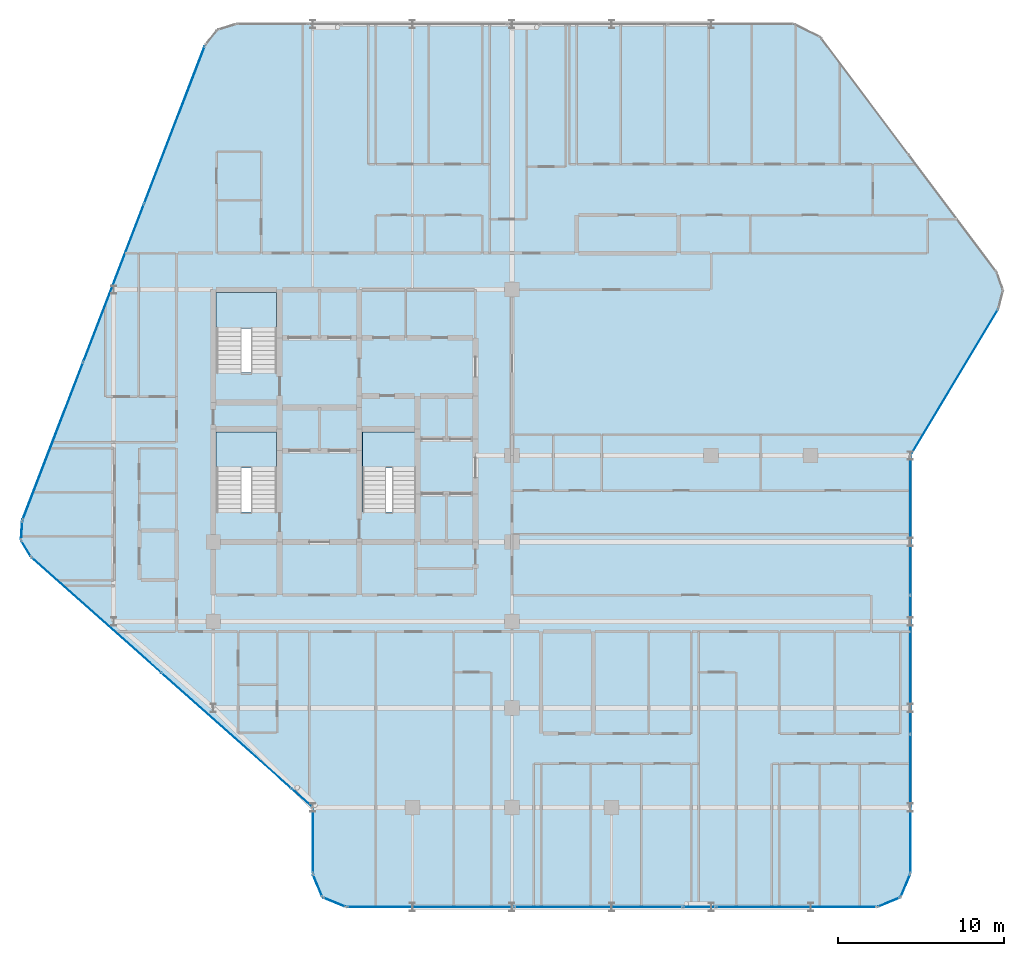
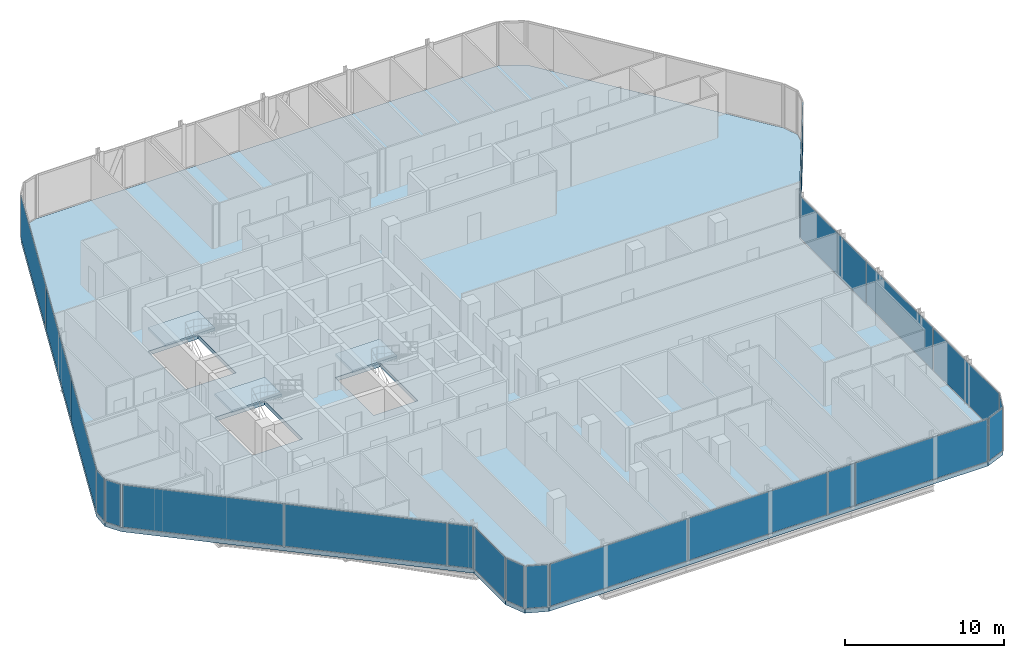
# One storey, part 23 of 32: 21 plates, 4 slabs, 18 elements without a shape of their own.
"""IFC4 building model written with IfcOpenShell, lengths in metres."""

from ifc_helpers import new_model, si_unit, direction, frame, origin, origin_2d, place, context, subcontext, project, spatial, polyline, rectangle, outline, extrude, material, layer, layer_set, type_object, element, aggregate, save


model = new_model("IFC4")

# Units and contexts
model_context = context("Model", 3, precision=1e-05, world=origin(), true_north=direction((0.0, 1.0)))
body_context = subcontext(model_context, "Body", "Model", "MODEL_VIEW")
ifc_project = project(units=[si_unit("LENGTHUNIT", "METRE"), si_unit("AREAUNIT", "SQUARE_METRE"), si_unit("VOLUMEUNIT", "CUBIC_METRE"), si_unit("PLANEANGLEUNIT", "RADIAN"), si_unit("MASSUNIT", "GRAM", prefix="KILO")], contexts=[model_context])

# Site, building, storey
site_placement = place(None, origin())
site = spatial("IfcSite", under=ifc_project, at=site_placement, CompositionType="ELEMENT")
building_placement = place(site_placement, origin())
building = spatial("IfcBuilding", under=site, at=building_placement, Name="Keshet Zoharim Tower", CompositionType="ELEMENT")
storey_placement = place(building_placement, frame((0.0, 0.0, 137.199951171875)))
storey = spatial("IfcBuildingStorey", under=building, at=storey_placement, Name="L33", CompositionType="ELEMENT", Elevation=137.199951171875)

# Curtain wall, plate
ifc_material_1 = material(Name="Aluminium 6063-T6", Category="aluminium")
ifc_layer_1 = layer(ifc_material_1, 0.159912109375)
ifc_layer_set_1 = layer_set([ifc_layer_1], Name="Aluminium 6063-T6")
curtain_wall_type = type_object("IfcCurtainWallType", Name="CW-SYS-03", PredefinedType="NOTDEFINED", material=ifc_layer_set_1)
curtain_wall_1_placement = place(storey_placement, origin())
curtain_wall_1 = element("IfcCurtainWall", 1, at=curtain_wall_1_placement, inside=storey, type_object=curtain_wall_type, Name="L33 Unitised Curtain Wall 01", PredefinedType="NOTDEFINED")
ifc_material_2 = material(Name="Insulated Low-E Clear Glass", Category="glass")
ifc_layer_2 = layer(ifc_material_2, 0.035888671875)
ifc_layer_set_2 = layer_set([ifc_layer_2], Name="Insulated Low-E Clear Glass")
plate_type_1 = type_object("IfcPlateType", Name="CWP-01", PredefinedType="CURTAIN_PANEL", material=ifc_layer_set_2)
plate_1_placement = place(storey_placement, frame((56.70703125, 1.992919921875, 0.070068359375), z_axis=(0.0, 0.0, 1.0), x_axis=(-0.382851849847, -0.92380975372, 0.0)))
plate_1 = element("IfcPlate", 2, at=plate_1_placement, type_object=plate_type_1, Name="CW-03 panel 1.1", PredefinedType="CURTAIN_PANEL", context=body_context, shape_type="SweptSolid", body=[
    extrude(rectangle(XDim=1.390625, YDim=0.035888671875, at=origin_2d()), origin(), (0.0, 0.0, 1.0), 3.2451171875),
])
aggregate(curtain_wall_1, [plate_1])

curtain_wall_2_placement = place(storey_placement, origin())
curtain_wall_2 = element("IfcCurtainWall", 3, at=curtain_wall_2_placement, inside=storey, type_object=curtain_wall_type, Name="L33 Unitised Curtain Wall 02", PredefinedType="NOTDEFINED")
plate_2_placement = place(storey_placement, frame((55.70703125, 0.992919921875, 0.070068359375), z_axis=(0.0, 0.0, 1.0), x_axis=(-0.92380975372, -0.382851849847, 0.0)))
plate_2 = element("IfcPlate", 4, at=plate_2_placement, type_object=plate_type_1, Name="CW-03 panel 1.1", PredefinedType="CURTAIN_PANEL", context=body_context, shape_type="SweptSolid", body=[
    extrude(rectangle(XDim=1.390625, YDim=0.035888671875, at=origin_2d()), origin(), (0.0, 0.0, 1.0), 3.2451171875),
])
aggregate(curtain_wall_2, [plate_2])

curtain_wall_3_placement = place(storey_placement, origin())
curtain_wall_3 = element("IfcCurtainWall", 5, at=curtain_wall_3_placement, inside=storey, type_object=curtain_wall_type, Name="L33 Unitised Curtain Wall 03", PredefinedType="NOTDEFINED")
plate_3_placement = place(storey_placement, frame((50.1240234375, 0.699951171875, 0.070068359375), z_axis=(0.0, 0.0, 1.0), x_axis=(-1.0, 0.0, 0.0)))
plate_3 = element("IfcPlate", 6, at=plate_3_placement, type_object=plate_type_1, Name="CW-03 panel 1.1", PredefinedType="CURTAIN_PANEL", context=body_context, shape_type="SweptSolid", body=[
    extrude(rectangle(XDim=9.61181640625, YDim=0.035888671875, at=origin_2d()), origin(), (0.0, 0.0, 1.0), 3.2451171875),
])
aggregate(curtain_wall_3, [plate_3])

# Curtain wall, plates
curtain_wall_4_placement = place(storey_placement, origin())
curtain_wall_4 = element("IfcCurtainWall", 7, at=curtain_wall_4_placement, inside=storey, type_object=curtain_wall_type, Name="L33 Unitised Curtain Wall 03 Part 3", PredefinedType="NOTDEFINED")
plate_4_placement = place(storey_placement, frame((38.20654296875, 0.699951171875, 0.070068359375), z_axis=(0.0, 0.0, 1.0), x_axis=(-1.0, 0.0, 0.0)))
plate_4 = element("IfcPlate", 8, at=plate_4_placement, type_object=plate_type_1, Name="CW-03 panel 1.1", PredefinedType="CURTAIN_PANEL", context=body_context, shape_type="SweptSolid", body=[
    extrude(rectangle(XDim=10.091064453125, YDim=0.035888671875, at=origin_2d()), origin(), (0.0, 0.0, 1.0), 3.2451171875),
])
plate_5_placement = place(storey_placement, frame((28.08056640625, 0.699951171875, 0.070068359375), z_axis=(0.0, 0.0, 1.0), x_axis=(-1.0, 0.0, 0.0)))
plate_5 = element("IfcPlate", 9, at=plate_5_placement, type_object=plate_type_1, Name="CW-03 panel 2.1", PredefinedType="CURTAIN_PANEL", context=body_context, shape_type="SweptSolid", body=[
    extrude(rectangle(XDim=10.02099609375, YDim=0.035888671875, at=origin_2d()), origin(), (0.0, 0.0, 1.0), 3.2451171875),
])
aggregate(curtain_wall_4, [plate_4, plate_5])

# Curtain wall, plate
curtain_wall_5_placement = place(storey_placement, origin())
curtain_wall_5 = element("IfcCurtainWall", 10, at=curtain_wall_5_placement, inside=storey, type_object=curtain_wall_type, Name="L33 Unitised Curtain Wall 04", PredefinedType="NOTDEFINED")
plate_6_placement = place(storey_placement, frame((22.29296875, 0.992919921875, 0.070068359375), z_axis=(0.0, 0.0, 1.0), x_axis=(-0.92380975372, 0.382851849847, 0.0)))
plate_6 = element("IfcPlate", 11, at=plate_6_placement, type_object=plate_type_1, Name="CW-03 panel 1.1", PredefinedType="CURTAIN_PANEL", context=body_context, shape_type="SweptSolid", body=[
    extrude(rectangle(XDim=1.390625, YDim=0.035888671875, at=origin_2d()), origin(), (0.0, 0.0, 1.0), 3.2451171875),
])
aggregate(curtain_wall_5, [plate_6])

curtain_wall_6_placement = place(storey_placement, origin())
curtain_wall_6 = element("IfcCurtainWall", 12, at=curtain_wall_6_placement, inside=storey, type_object=curtain_wall_type, Name="L33 Unitised Curtain Wall 05", PredefinedType="NOTDEFINED")
plate_7_placement = place(storey_placement, frame((21.29296875, 1.992919921875, 0.070068359375), z_axis=(0.0, 0.0, 1.0), x_axis=(-0.382851849847, 0.92380975372, 0.0)))
plate_7 = element("IfcPlate", 13, at=plate_7_placement, type_object=plate_type_1, Name="CW-03 panel 1.1", PredefinedType="CURTAIN_PANEL", context=body_context, shape_type="SweptSolid", body=[
    extrude(rectangle(XDim=1.390625, YDim=0.035888671875, at=origin_2d()), origin(), (0.0, 0.0, 1.0), 3.2451171875),
])
aggregate(curtain_wall_6, [plate_7])

curtain_wall_7_placement = place(storey_placement, origin())
curtain_wall_7 = element("IfcCurtainWall", 14, at=curtain_wall_7_placement, inside=storey, type_object=curtain_wall_type, Name="L33 Unitised Curtain Wall 06", PredefinedType="NOTDEFINED")
plate_8_placement = place(storey_placement, frame((21.0, 4.699951171875, 0.070068359375), z_axis=(0.0, 0.0, 1.0), x_axis=(0.0, 1.0, 0.0)))
plate_8 = element("IfcPlate", 15, at=plate_8_placement, type_object=plate_type_1, Name="CW-03 panel 1.1", PredefinedType="CURTAIN_PANEL", context=body_context, shape_type="SweptSolid", body=[
    extrude(rectangle(XDim=3.860107421875, YDim=0.035888671875, at=origin_2d()), origin(), (0.0, 0.0, 1.0), 3.2451171875),
])
aggregate(curtain_wall_7, [plate_8])

# Curtain wall, plates
curtain_wall_8_placement = place(storey_placement, origin())
curtain_wall_8 = element("IfcCurtainWall", 16, at=curtain_wall_8_placement, inside=storey, type_object=curtain_wall_type, Name="L33 Unitised Curtain Wall 07 Part 2", PredefinedType="NOTDEFINED")
plate_9_placement = place(storey_placement, frame((15.79296875, 11.328369140625, 0.070068359375), z_axis=(0.0, 0.0, 1.0), x_axis=(-0.747409582009, 0.664363542589, 0.0)))
plate_9 = element("IfcPlate", 17, at=plate_9_placement, type_object=plate_type_1, Name="CW-03 panel 1.1", PredefinedType="CURTAIN_PANEL", context=body_context, shape_type="SweptSolid", body=[
    extrude(rectangle(XDim=10.441162109375, YDim=0.035888671875, at=origin_2d()), origin(), (0.0, 0.0, 1.0), 3.2451171875),
])
plate_10_placement = place(storey_placement, frame((7.963134765625, 18.288330078125, 0.070068359375), z_axis=(0.0, 0.0, 1.0), x_axis=(-0.747409582009, 0.664363542589, 0.0)))
plate_10 = element("IfcPlate", 18, at=plate_10_placement, type_object=plate_type_1, Name="CW-03 panel 2.1", PredefinedType="CURTAIN_PANEL", context=body_context, shape_type="SweptSolid", body=[
    extrude(rectangle(XDim=10.37109375, YDim=0.035888671875, at=origin_2d()), origin(), (0.0, 0.0, 1.0), 3.2451171875),
])
aggregate(curtain_wall_8, [plate_9, plate_10])

# Curtain wall, plate
curtain_wall_9_placement = place(storey_placement, origin())
curtain_wall_9 = element("IfcCurtainWall", 19, at=curtain_wall_9_placement, inside=storey, type_object=curtain_wall_type, Name="L33 Unitised Curtain Wall 08", PredefinedType="NOTDEFINED")
plate_11_placement = place(storey_placement, frame((3.7275390625, 22.291015625, 0.070068359375), z_axis=(0.0, 0.0, 1.0), x_axis=(-0.515604947933, 0.856826433805, 0.0)))
plate_11 = element("IfcPlate", 20, at=plate_11_placement, type_object=plate_type_1, Name="CW-03 panel 1.1", PredefinedType="CURTAIN_PANEL", context=body_context, shape_type="SweptSolid", body=[
    extrude(rectangle(XDim=1.052734375, YDim=0.035888671875, at=origin_2d()), origin(), (0.0, 0.0, 1.0), 3.2451171875),
])
aggregate(curtain_wall_9, [plate_11])

curtain_wall_10_placement = place(storey_placement, origin())
curtain_wall_10 = element("IfcCurtainWall", 21, at=curtain_wall_10_placement, inside=storey, type_object=curtain_wall_type, Name="L33 Unitised Curtain Wall 09", PredefinedType="NOTDEFINED")
plate_12_placement = place(storey_placement, frame((3.45849609375, 23.3974609375, 0.070068359375), z_axis=(0.0, 0.0, 1.0), x_axis=(0.064516859374, 0.997916617186, 0.0)))
plate_12 = element("IfcPlate", 22, at=plate_12_placement, type_object=plate_type_1, Name="CW-03 panel 1.1", PredefinedType="CURTAIN_PANEL", context=body_context, shape_type="SweptSolid", body=[
    extrude(rectangle(XDim=1.053466796875, YDim=0.035888671875, at=origin_2d()), origin(), (0.0, 0.0, 1.0), 3.2451171875),
])
aggregate(curtain_wall_10, [plate_12])

# Curtain wall, plates
curtain_wall_11_placement = place(storey_placement, origin())
curtain_wall_11 = element("IfcCurtainWall", 23, at=curtain_wall_11_placement, inside=storey, type_object=curtain_wall_type, Name="L33 Unitised Curtain Wall 10", PredefinedType="NOTDEFINED")
plate_13_placement = place(storey_placement, frame((5.33837890625, 28.7802734375, 0.070068359375), z_axis=(0.0, 0.0, 1.0), x_axis=(0.358990003907, 0.933341404361, 0.0)))
plate_13 = element("IfcPlate", 24, at=plate_13_placement, type_object=plate_type_1, Name="CW-03 panel 1.1", PredefinedType="CURTAIN_PANEL", context=body_context, shape_type="SweptSolid", body=[
    extrude(rectangle(XDim=10.1181640625, YDim=0.035888671875, at=origin_2d()), origin(), (0.0, 0.0, 1.0), 3.2451171875),
])
plate_14_placement = place(storey_placement, frame((9.001953125, 38.305419921875, 0.070068359375), z_axis=(0.0, 0.0, 1.0), x_axis=(0.358990003907, 0.933341404361, 0.0)))
plate_14 = element("IfcPlate", 25, at=plate_14_placement, type_object=plate_type_1, Name="CW-03 panel 2.1", PredefinedType="CURTAIN_PANEL", context=body_context, shape_type="SweptSolid", body=[
    extrude(rectangle(XDim=10.153076171875, YDim=0.035888671875, at=origin_2d()), origin(), (0.0, 0.0, 1.0), 3.2451171875),
])
plate_15_placement = place(storey_placement, frame((12.665771484375, 47.830810546875, 0.070068359375), z_axis=(0.0, 0.0, 1.0), x_axis=(0.358990003907, 0.933341404361, 0.0)))
plate_15 = element("IfcPlate", 26, at=plate_15_placement, type_object=plate_type_1, Name="CW-03 panel 3.1", PredefinedType="CURTAIN_PANEL", context=body_context, shape_type="SweptSolid", body=[
    extrude(rectangle(XDim=10.1181640625, YDim=0.035888671875, at=origin_2d()), origin(), (0.0, 0.0, 1.0), 3.2451171875),
])
aggregate(curtain_wall_11, [plate_13, plate_14, plate_15])

# Curtain wall, plate
curtain_wall_12_placement = place(storey_placement, origin())
curtain_wall_12 = element("IfcCurtainWall", 27, at=curtain_wall_12_placement, inside=storey, type_object=curtain_wall_type, Name="L33 Unitised Curtain Wall 18", PredefinedType="NOTDEFINED")
plate_16_placement = place(storey_placement, frame((59.654052734375, 32.323486328125, 0.070068359375), z_axis=(0.0, 0.0, 1.0), x_axis=(-0.514481501576, -0.857501477862, 0.0)))
plate_16 = element("IfcPlate", 28, at=plate_16_placement, type_object=plate_type_1, Name="CW-03 panel 1.1", PredefinedType="CURTAIN_PANEL", context=body_context, shape_type="SweptSolid", body=[
    extrude(rectangle(XDim=10.17724609375, YDim=0.035888671875, at=origin_2d()), origin(), (0.0, 0.0, 1.0), 3.2451171875),
])
aggregate(curtain_wall_12, [plate_16])

# Curtain wall, plates
curtain_wall_13_placement = place(storey_placement, origin())
curtain_wall_13 = element("IfcCurtainWall", 29, at=curtain_wall_13_placement, inside=storey, type_object=curtain_wall_type, Name="L33 Unitised Curtain Wall 19", PredefinedType="NOTDEFINED")
ifc_layer_3 = layer(ifc_material_2, 0.031982421875)
ifc_layer_set_3 = layer_set([ifc_layer_3], Name="Insulated Low-E Clear Glass")
plate_type_2 = type_object("IfcPlateType", Name="CWP-02", PredefinedType="CURTAIN_PANEL", material=ifc_layer_set_3)
plate_17_placement = place(storey_placement, frame((57.0, 23.6826171875, 0.070068359375), z_axis=(0.0, 0.0, 1.0), x_axis=(0.0, -1.0, 0.0)))
plate_17 = element("IfcPlate", 30, at=plate_17_placement, type_object=plate_type_2, Name="CW-03 panel 1.1", PredefinedType="CURTAIN_PANEL", context=body_context, shape_type="SweptSolid", body=[
    extrude(rectangle(XDim=8.294921875, YDim=0.031982421875, at=origin_2d()), origin(), (0.0, 0.0, 1.0), 3.2451171875),
])
plate_18_placement = place(storey_placement, frame((57.0, 15.300048828125, 0.070068359375), z_axis=(0.0, 0.0, 1.0), x_axis=(0.0, -1.0, 0.0)))
plate_18 = element("IfcPlate", 31, at=plate_18_placement, type_object=plate_type_2, Name="CW-03 panel 2.1", PredefinedType="CURTAIN_PANEL", context=body_context, shape_type="SweptSolid", body=[
    extrude(rectangle(XDim=8.330078125, YDim=0.031982421875, at=origin_2d()), origin(), (0.0, 0.0, 1.0), 3.2451171875),
])
plate_19_placement = place(storey_placement, frame((57.0, 6.91748046875, 0.070068359375), z_axis=(0.0, 0.0, 1.0), x_axis=(0.0, -1.0, 0.0)))
plate_19 = element("IfcPlate", 32, at=plate_19_placement, type_object=plate_type_2, Name="CW-03 panel 3.1", PredefinedType="CURTAIN_PANEL", context=body_context, shape_type="SweptSolid", body=[
    extrude(rectangle(XDim=8.294921875, YDim=0.031982421875, at=origin_2d()), origin(), (0.0, 0.0, 1.0), 3.2451171875),
])
aggregate(curtain_wall_13, [plate_17, plate_18, plate_19])

# Curtain wall, plate
curtain_wall_14_placement = place(storey_placement, origin())
curtain_wall_14 = element("IfcCurtainWall", 33, at=curtain_wall_14_placement, inside=storey, type_object=curtain_wall_type, Name="L33 Unitised Curtain Wall 03 Part 2", PredefinedType="NOTDEFINED")
ifc_material_3 = material(Name="Insulated Aluminium Spandrel Panel", Category="aluminium")
ifc_layer_4 = layer(ifc_material_3, 0.035888671875)
ifc_layer_set_4 = layer_set([ifc_layer_4], Name="Insulated Aluminium Spandrel Panel")
plate_type_3 = type_object("IfcPlateType", Name="CWP-04", PredefinedType="CURTAIN_PANEL", material=ifc_layer_set_4)
plate_20_placement = place(storey_placement, frame((44.284912109375, 0.699951171875, 0.070068359375), z_axis=(0.0, 0.0, 1.0), x_axis=(-1.0, 0.0, 0.0)))
plate_20 = element("IfcPlate", 34, at=plate_20_placement, type_object=plate_type_3, Name="CW-03 spandrel panel 1.1", PredefinedType="CURTAIN_PANEL", context=body_context, shape_type="SweptSolid", body=[
    extrude(rectangle(XDim=1.92626953125, YDim=0.035888671875, at=origin_2d()), origin(), (0.0, 0.0, 1.0), 3.2451171875),
])
aggregate(curtain_wall_14, [plate_20])

curtain_wall_15_placement = place(storey_placement, origin())
curtain_wall_15 = element("IfcCurtainWall", 35, at=curtain_wall_15_placement, inside=storey, type_object=curtain_wall_type, Name="L33 Unitised Curtain Wall 07", PredefinedType="NOTDEFINED")
plate_21_placement = place(storey_placement, frame((20.347412109375, 7.280029296875, 0.070068359375), z_axis=(0.0, 0.0, 1.0), x_axis=(-0.747406159057, 0.664367393393, 0.0)))
plate_21 = element("IfcPlate", 36, at=plate_21_placement, type_object=plate_type_3, Name="CW-03 spandrel panel 1.1", PredefinedType="CURTAIN_PANEL", context=body_context, shape_type="SweptSolid", body=[
    extrude(rectangle(XDim=1.606201171875, YDim=0.035888671875, at=origin_2d()), origin(), (0.0, 0.0, 1.0), 3.2451171875),
])
aggregate(curtain_wall_15, [plate_21])

# Stair, slab
ifc_material_4 = material(Name="Concrete C50/60", Category="concrete")
stair_type = type_object("IfcStairType", Name="STR-EXIT-135", PredefinedType="HALF_TURN_STAIR", material=ifc_material_4)
stair_1_placement = place(storey_placement, origin())
stair_1 = element("IfcStair", 37, at=stair_1_placement, inside=storey, type_object=stair_type, Name="L33 Enclosed Exit Stair ST-01", PredefinedType="HALF_TURN_STAIR")
ifc_layer_5 = layer(ifc_material_4, 0.199951171875)
ifc_layer_set_5 = layer_set([ifc_layer_5], Name="Concrete C50/60")
slab_type_1 = type_object("IfcSlabType", Name="SLB-LND-200", PredefinedType="LANDING", material=ifc_layer_set_5)
slab_1_placement = place(storey_placement, frame((0.0, 0.0, 1.650146484375)))
slab_1 = element("IfcSlab", 38, at=slab_1_placement, type_object=slab_type_1, Name="ST-01 landing 1", PredefinedType="LANDING", context=body_context, shape_type="SweptSolid", body=[
    extrude(outline(polyline([(15.179931640625, 27.159912109375), (18.820068359375, 27.159912109375), (18.820068359375, 29.320068359375), (15.179931640625, 29.320068359375), (15.179931640625, 27.159912109375)])), origin(), (0.0, 0.0, 1.0), 0.199951171875),
])
aggregate(stair_1, [slab_1])

stair_2_placement = place(storey_placement, origin())
stair_2 = element("IfcStair", 39, at=stair_2_placement, inside=storey, type_object=stair_type, Name="L33 Enclosed Exit Stair ST-02", PredefinedType="HALF_TURN_STAIR")
slab_2_placement = place(storey_placement, frame((0.0, 0.0, 1.650146484375)))
slab_2 = element("IfcSlab", 40, at=slab_2_placement, type_object=slab_type_1, Name="ST-02 landing 1", PredefinedType="LANDING", context=body_context, shape_type="SweptSolid", body=[
    extrude(outline(polyline([(15.179931640625, 35.56005859375), (18.820068359375, 35.56005859375), (18.820068359375, 37.719970703125), (15.179931640625, 37.719970703125), (15.179931640625, 35.56005859375)])), origin(), (0.0, 0.0, 1.0), 0.199951171875),
])
aggregate(stair_2, [slab_2])

stair_3_placement = place(storey_placement, origin())
stair_3 = element("IfcStair", 41, at=stair_3_placement, inside=storey, type_object=stair_type, Name="L33 Enclosed Exit Stair ST-03", PredefinedType="HALF_TURN_STAIR")
slab_3_placement = place(storey_placement, frame((0.0, 0.0, 1.650146484375)))
slab_3 = element("IfcSlab", 42, at=slab_3_placement, type_object=slab_type_1, Name="ST-03 landing 1", PredefinedType="LANDING", context=body_context, shape_type="SweptSolid", body=[
    extrude(outline(polyline([(23.97998046875, 27.159912109375), (27.219970703125, 27.159912109375), (27.219970703125, 29.320068359375), (23.97998046875, 29.320068359375), (23.97998046875, 27.159912109375)])), origin(), (0.0, 0.0, 1.0), 0.199951171875),
])
aggregate(stair_3, [slab_3])

# Slab
ifc_layer_6 = layer(ifc_material_4, 0.31494140625)
ifc_layer_set_6 = layer_set([ifc_layer_6], Name="Concrete C50/60")
slab_type_2 = type_object("IfcSlabType", Name="SLB-LOW-260", PredefinedType="FLOOR", material=ifc_layer_set_6)
slab_4_placement = place(storey_placement, frame((0.0, 0.0, -0.31494140625)))
element("IfcSlab", 43, at=slab_4_placement, inside=storey, type_object=slab_type_2, Name="L33 Structural Floor Slab 1", PredefinedType="FLOOR", context=body_context, shape_type="SweptSolid", body=[
    extrude(outline(polyline([(57.0, 2.699951171875), (56.4140625, 1.285888671875), (55.0, 0.699951171875), (23.0, 0.699951171875), (21.5859375, 1.285888671875), (21.0, 2.699951171875), (21.0, 6.699951171875), (4.034912109375, 21.780029296875), (3.419921875, 22.802001953125), (3.4970703125, 23.992919921875), (14.507080078125, 52.617919921875), (15.240966796875, 53.549072265625), (16.3740234375, 53.89990234375), (50.0, 53.89990234375), (51.60009765625, 53.10009765625), (62.193115234375, 38.97607421875), (62.590087890625, 37.87890625), (62.30810546875, 36.7470703125), (57.0, 27.89990234375), (57.0, 2.699951171875)]), holes=[polyline([(15.179931640625, 24.52001953125), (18.820068359375, 24.52001953125), (18.820068359375, 29.320068359375), (15.179931640625, 29.320068359375), (15.179931640625, 24.52001953125)]), polyline([(15.179931640625, 32.919921875), (18.820068359375, 32.919921875), (18.820068359375, 37.719970703125), (15.179931640625, 37.719970703125), (15.179931640625, 32.919921875)]), polyline([(23.97998046875, 24.52001953125), (27.219970703125, 24.52001953125), (27.219970703125, 29.320068359375), (23.97998046875, 29.320068359375), (23.97998046875, 24.52001953125)])]), origin(), (0.0, 0.0, 1.0), 0.31494140625),
])

save(model, "model.ifc")
